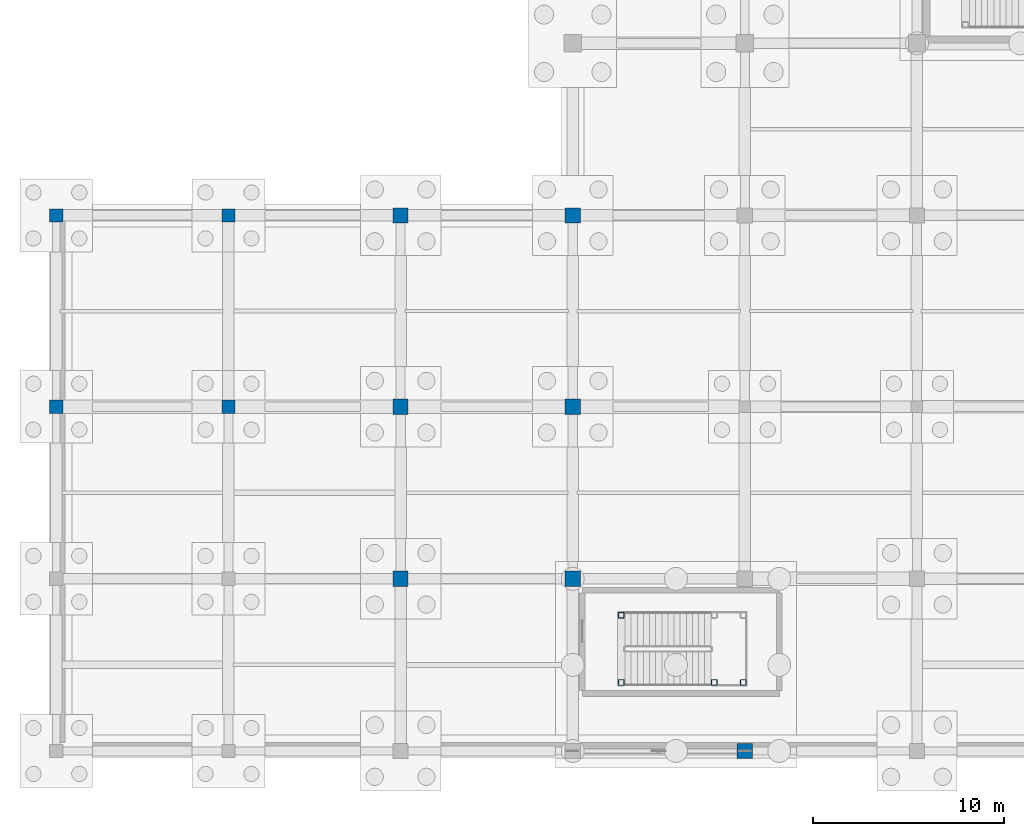
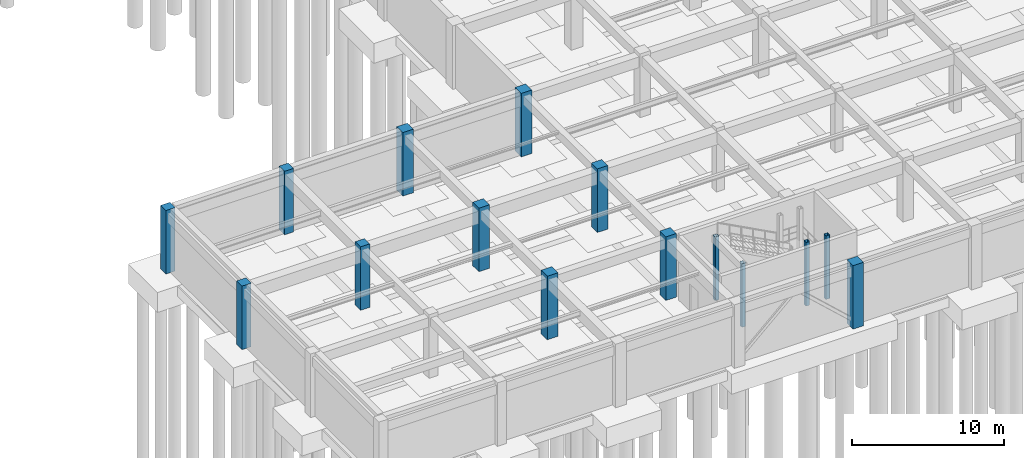
# One storey, part 12 of 62: 15 columns.
"""IFC4 building model written with IfcOpenShell, lengths in metres."""

from ifc_helpers import new_model, si_unit, direction, frame, origin, origin_2d, place, context, subcontext, project, spatial, rectangle, hollow_rectangle, extrude, material, material_profile, profile_set, type_object, element, save


model = new_model("IFC4")

# Units and contexts
model_context = context("Model", 3, precision=1e-05, world=origin(), true_north=direction((0.0, 1.0)))
body_context = subcontext(model_context, "Body", "Model", "MODEL_VIEW")
ifc_project = project(units=[si_unit("LENGTHUNIT", "METRE"), si_unit("AREAUNIT", "SQUARE_METRE"), si_unit("VOLUMEUNIT", "CUBIC_METRE"), si_unit("PLANEANGLEUNIT", "RADIAN"), si_unit("MASSUNIT", "GRAM", prefix="KILO")], contexts=[model_context])

# Site, building, storey
site_placement = place(None, origin())
site = spatial("IfcSite", under=ifc_project, at=site_placement, CompositionType="ELEMENT")
building_placement = place(site_placement, origin())
building = spatial("IfcBuilding", under=site, at=building_placement, Name="Miravela Opera House", CompositionType="ELEMENT")
storey_placement = place(building_placement, frame((0.0, 0.0, -5.10009765625)))
storey = spatial("IfcBuildingStorey", under=building, at=storey_placement, Name="B01", CompositionType="ELEMENT", Elevation=-5.10009765625)

# Columns
ifc_material_1 = material(Name="Hollow structural steel ASTM A500 Gr. C", Category="steel")
ifc_material_profile_1 = material_profile(ifc_material_1, hollow_rectangle(XDim=0.300048828125, YDim=0.300048828125, WallThickness=0.01611328125, InnerFilletRadius=0.01611328125, OuterFilletRadius=0.031982421875, at=origin_2d()), Name="HSS300X300X16")
ifc_profile_set_1 = profile_set([ifc_material_profile_1])
column_type_1 = type_object("IfcColumnType", Name="STR-COL-HSS300", PredefinedType="COLUMN", material=ifc_profile_set_1)
for number, where, z_axis, x_axis, name in (
    (1, (29.5400390625, 3.580078125, 0.0), (0.0, 0.0, 1.0), (1.0, 0.0, 0.0), "Stair ST-08 Landing Support Column 1 (B01)"),
    (2, (29.5400390625, 7.10009765625, 0.0), (0.0, 0.0, 1.0), (1.0, 0.0, 0.0), "Stair ST-08 Landing Support Column 2 (B01)"),
    (3, (34.39990234375, 3.580078125, 0.0), (0.0, 0.0, 1.0), (1.0, 0.0, 0.0), "Stair ST-08 Landing Support Column 3 (B01)"),
    (4, (35.919921875, 3.580078125, 0.0), (0.0, 0.0, 1.0), (1.0, 0.0, 0.0), "Stair ST-08 Landing Support Column 5 (B01)"),
):
    element("IfcColumn", number, at=place(storey_placement, frame(where, z_axis=z_axis, x_axis=x_axis)), inside=storey, type_object=column_type_1, Name=name, PredefinedType="COLUMN", context=body_context, shape_type="SweptSolid", body=[
        extrude(hollow_rectangle(XDim=0.300048828125, YDim=0.300048828125, WallThickness=0.01611328125, InnerFilletRadius=0.01611328125, OuterFilletRadius=0.031982421875, at=origin_2d()), origin(), (0.0, 0.0, 1.0), 5.10009765625),
    ])
ifc_material_2 = material(Name="Concrete C35/45", Category="concrete")
ifc_material_profile_2 = material_profile(ifc_material_2, rectangle(XDim=0.699951171875, YDim=0.699951171875, at=origin_2d()), Name="RC-COL-700X700")
ifc_profile_set_2 = profile_set([ifc_material_profile_2])
column_type_2 = type_object("IfcColumnType", Name="STR-COL-RC700", PredefinedType="COLUMN", material=ifc_profile_set_2)
for number, where, z_axis, x_axis, name in (
    (5, (0.0, 18.0, 0.0), (0.0, 0.0, 1.0), (1.0, 0.0, 0.0), "Column C-1C (B01)"),
    (6, (0.0, 28.0, 0.0), (0.0, 0.0, 1.0), (1.0, 0.0, 0.0), "Column C-1D (B01)"),
    (7, (9.0, 18.0, 0.0), (0.0, 0.0, 1.0), (1.0, 0.0, 0.0), "Column C-2C (B01)"),
    (8, (9.0, 28.0, 0.0), (0.0, 0.0, 1.0), (1.0, 0.0, 0.0), "Column C-2D (B01)"),
):
    element("IfcColumn", number, at=place(storey_placement, frame(where, z_axis=z_axis, x_axis=x_axis)), inside=storey, type_object=column_type_2, Name=name, PredefinedType="COLUMN", context=body_context, shape_type="SweptSolid", body=[
        extrude(rectangle(XDim=0.699951171875, YDim=0.699951171875, at=origin_2d()), origin(), (0.0, 0.0, 1.0), 5.10009765625),
    ])
ifc_material_3 = material(Name="Concrete C40/50", Category="concrete")
ifc_material_profile_3 = material_profile(ifc_material_3, rectangle(XDim=0.800048828125, YDim=0.800048828125, at=origin_2d()), Name="RC-COL-800X800")
ifc_profile_set_3 = profile_set([ifc_material_profile_3])
column_type_3 = type_object("IfcColumnType", Name="STR-COL-RC800", PredefinedType="COLUMN", material=ifc_profile_set_3)
for number, where, z_axis, x_axis, name in (
    (9, (18.0, 9.0, 0.0), (0.0, 0.0, 1.0), (1.0, 0.0, 0.0), "Column C-3B (B01)"),
    (10, (18.0, 18.0, 0.0), (0.0, 0.0, 1.0), (1.0, 0.0, 0.0), "Column C-3C (B01)"),
    (11, (18.0, 28.0, 0.0), (0.0, 0.0, 1.0), (1.0, 0.0, 0.0), "Column C-3D (B01)"),
    (12, (27.0, 9.0, 0.0), (0.0, 0.0, 1.0), (1.0, 0.0, 0.0), "Column C-4B (B01)"),
    (13, (27.0, 18.0, 0.0), (0.0, 0.0, 1.0), (1.0, 0.0, 0.0), "Column C-4C (B01)"),
    (14, (27.0, 28.0, 0.0), (0.0, 0.0, 1.0), (1.0, 0.0, 0.0), "Column C-4D (B01)"),
    (15, (36.0, 0.0, 0.0), (0.0, 0.0, 1.0), (1.0, 0.0, 0.0), "Column C-5A (B01)"),
):
    element("IfcColumn", number, at=place(storey_placement, frame(where, z_axis=z_axis, x_axis=x_axis)), inside=storey, type_object=column_type_3, Name=name, PredefinedType="COLUMN", context=body_context, shape_type="SweptSolid", body=[
        extrude(rectangle(XDim=0.800048828125, YDim=0.800048828125, at=origin_2d()), origin(), (0.0, 0.0, 1.0), 5.10009765625),
    ])

save(model, "model.ifc")
